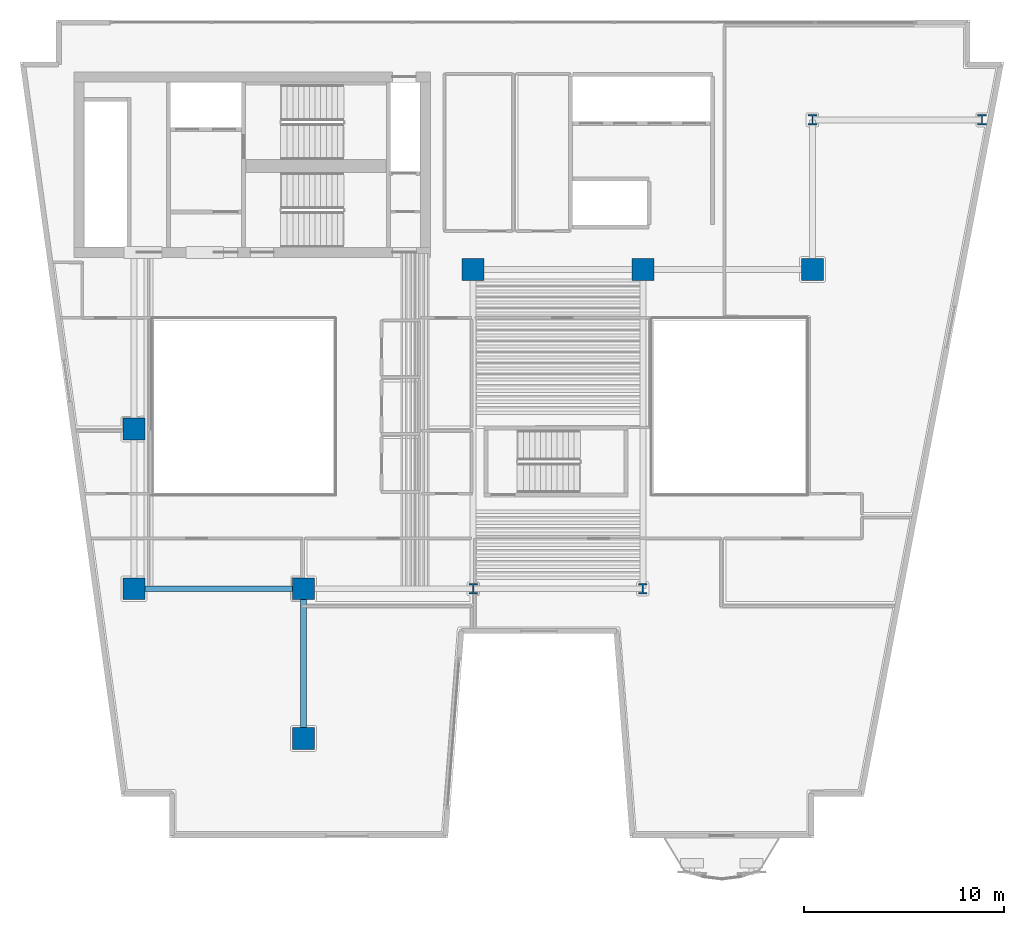
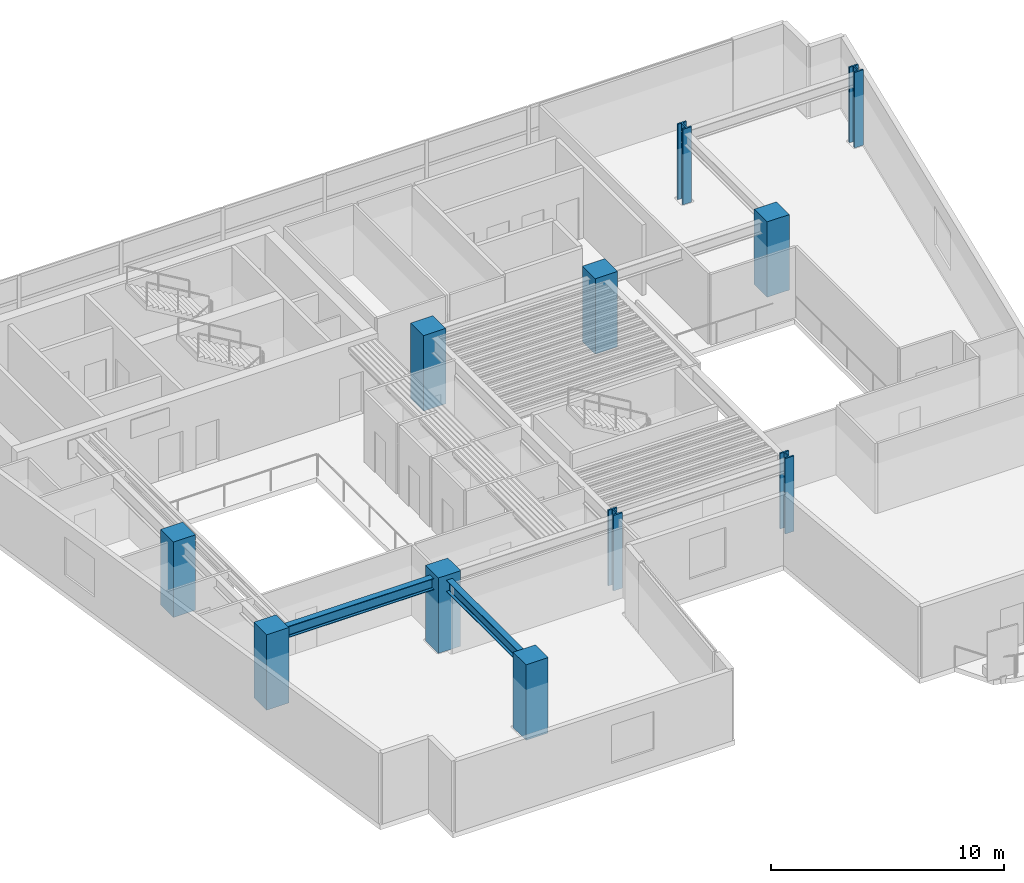
# One storey, part 1 of 12: 11 columns, 2 beams.
"""IFC4 building model written with IfcOpenShell, lengths in metres."""

from ifc_helpers import new_model, si_unit, direction, frame, origin, origin_2d, place, context, subcontext, project, spatial, rectangle, i_section, extrude, material, material_profile, profile_set, type_object, element, save


model = new_model("IFC4")

# Units and contexts
model_context = context("Model", 3, precision=1e-05, world=origin(), true_north=direction((0.0, 1.0)))
body_context = subcontext(model_context, "Body", "Model", "MODEL_VIEW")
ifc_project = project(units=[si_unit("LENGTHUNIT", "METRE"), si_unit("AREAUNIT", "SQUARE_METRE"), si_unit("VOLUMEUNIT", "CUBIC_METRE"), si_unit("PLANEANGLEUNIT", "RADIAN"), si_unit("MASSUNIT", "GRAM", prefix="KILO")], contexts=[model_context])

# Site, building, storey
site_placement = place(None, origin())
site = spatial("IfcSite", under=ifc_project, at=site_placement, CompositionType="ELEMENT")
building_placement = place(site_placement, origin())
building = spatial("IfcBuilding", under=site, at=building_placement, Name="Caeloran Harvest Quay", CompositionType="ELEMENT")
storey_placement = place(building_placement, frame((0.0, 0.0, 115.35009765625)))
storey = spatial("IfcBuildingStorey", under=building, at=storey_placement, Name="L26", CompositionType="ELEMENT", Elevation=115.35009765625)

# Columns
ifc_material_1 = material(Name="Concrete C70/85", Category="concrete")
ifc_material_profile_1 = material_profile(ifc_material_1, rectangle(XDim=1.10009765625, YDim=1.10009765625, at=origin_2d()), Name="RC 1100x1100")
ifc_profile_set_1 = profile_set([ifc_material_profile_1], Name="Concrete C70/85")
column_type_1 = type_object("IfcColumnType", Name="COL-MC-3-RC_1100x1100", PredefinedType="COLUMN", material=ifc_profile_set_1)
for number, where, z_axis, x_axis, name in (
    (1, (8.5, 15.0, 0.0), (0.0, 0.0, 1.0), (1.0, 0.0, 0.0), "L26 Structural Column (8.5, 15.0)"),
    (2, (8.5, 23.0, 0.0), (0.0, 0.0, 1.0), (1.0, 0.0, 0.0), "L26 Structural Column (8.5, 23.0)"),
    (3, (17.0, 7.5, 0.0), (0.0, 0.0, 1.0), (1.0, 0.0, 0.0), "L26 Structural Column (17.0, 7.5)"),
    (4, (17.0, 15.0, 0.0), (0.0, 0.0, 1.0), (1.0, 0.0, 0.0), "L26 Structural Column (17.0, 15.0)"),
    (5, (25.5, 31.0, 0.0), (0.0, 0.0, 1.0), (1.0, 0.0, 0.0), "L26 Structural Column (25.5, 31.0)"),
    (6, (34.0, 31.0, 0.0), (0.0, 0.0, 1.0), (1.0, 0.0, 0.0), "L26 Structural Column (34.0, 31.0)"),
    (7, (42.5, 31.0, 0.0), (0.0, 0.0, 1.0), (1.0, 0.0, 0.0), "L26 Structural Column (42.5, 31.0)"),
):
    element("IfcColumn", number, at=place(storey_placement, frame(where, z_axis=z_axis, x_axis=x_axis)), inside=storey, type_object=column_type_1, Name=name, PredefinedType="COLUMN", context=body_context, shape_type="SweptSolid", body=[
        extrude(rectangle(XDim=1.10009765625, YDim=1.10009765625, at=origin_2d()), origin(), (0.0, 0.0, 1.0), 3.949951171875),
    ])
ifc_material_2 = material(Name="Steel HISTAR 460", Category="steel")
ifc_material_profile_2 = material_profile(ifc_material_2, i_section(OverallWidth=0.43701171875, OverallDepth=0.513916015625, WebThickness=0.060546875, FlangeThickness=0.076904296875, FilletRadius=0.014892578125, at=origin_2d()), Name="HD 400x818")
ifc_profile_set_2 = profile_set([ifc_material_profile_2], Name="Steel HISTAR 460")
column_type_2 = type_object("IfcColumnType", Name="COL-SC-2-HD_400x818", PredefinedType="COLUMN", material=ifc_profile_set_2)
for number, where, z_axis, x_axis, name in (
    (8, (25.5, 15.0, 0.0), (0.0, 0.0, 1.0), (1.0, 0.0, 0.0), "L26 Structural Column (25.5, 15.0)"),
    (9, (34.0, 15.0, 0.0), (0.0, 0.0, 1.0), (1.0, 0.0, 0.0), "L26 Structural Column (34.0, 15.0)"),
    (10, (42.5, 38.5, 0.0), (0.0, 0.0, 1.0), (1.0, 0.0, 0.0), "L26 Structural Column (42.5, 38.5)"),
    (11, (51.0, 38.5, 0.0), (0.0, 0.0, 1.0), (1.0, 0.0, 0.0), "L26 Structural Column (51.0, 38.5)"),
):
    element("IfcColumn", number, at=place(storey_placement, frame(where, z_axis=z_axis, x_axis=x_axis)), inside=storey, type_object=column_type_2, Name=name, PredefinedType="COLUMN", context=body_context, shape_type="SweptSolid", body=[
        extrude(i_section(OverallWidth=0.43701171875, OverallDepth=0.513916015625, WebThickness=0.060546875, FlangeThickness=0.076904296875, FilletRadius=0.014892578125, at=origin_2d()), origin(), (0.0, 0.0, 1.0), 3.949951171875),
    ])

# Beams
ifc_material_3 = material(Name="Steel S355J2", Category="steel")
ifc_material_profile_3 = material_profile(ifc_material_3, i_section(OverallWidth=0.300048828125, OverallDepth=0.60009765625, WebThickness=0.015380859375, FlangeThickness=0.030029296875, FilletRadius=0.027099609375, at=origin_2d()), Name="HE 600 B")
ifc_profile_set_3 = profile_set([ifc_material_profile_3], Name="Steel S355J2")
beam_type = type_object("IfcBeamType", Name="BM-PG-3-HE_600_B", PredefinedType="BEAM", material=ifc_profile_set_3)
beam_1_placement = place(storey_placement, frame((8.5, 15.0, 3.389892578125), z_axis=(1.0, 0.0, 0.0), x_axis=(0.0, 1.0, 0.0)))
element("IfcBeam", 12, at=beam_1_placement, inside=storey, type_object=beam_type, Name="L26 Primary East-West Girder Y=15.0", PredefinedType="BEAM", context=body_context, shape_type="SweptSolid", body=[
    extrude(i_section(OverallWidth=0.300048828125, OverallDepth=0.60009765625, WebThickness=0.015380859375, FlangeThickness=0.030029296875, FilletRadius=0.027099609375, at=origin_2d()), origin(), (0.0, 0.0, 1.0), 8.5),
])
beam_2_placement = place(storey_placement, frame((17.0, 7.5, 3.389892578125), z_axis=(0.0, 1.0, 0.0), x_axis=(-1.0, 0.0, 0.0)))
element("IfcBeam", 13, at=beam_2_placement, inside=storey, type_object=beam_type, Name="L26 Primary North-South Girder X=17.0", PredefinedType="BEAM", context=body_context, shape_type="SweptSolid", body=[
    extrude(i_section(OverallWidth=0.300048828125, OverallDepth=0.60009765625, WebThickness=0.015380859375, FlangeThickness=0.030029296875, FilletRadius=0.027099609375, at=origin_2d()), origin(), (0.0, 0.0, 1.0), 7.5),
])

save(model, "model.ifc")
